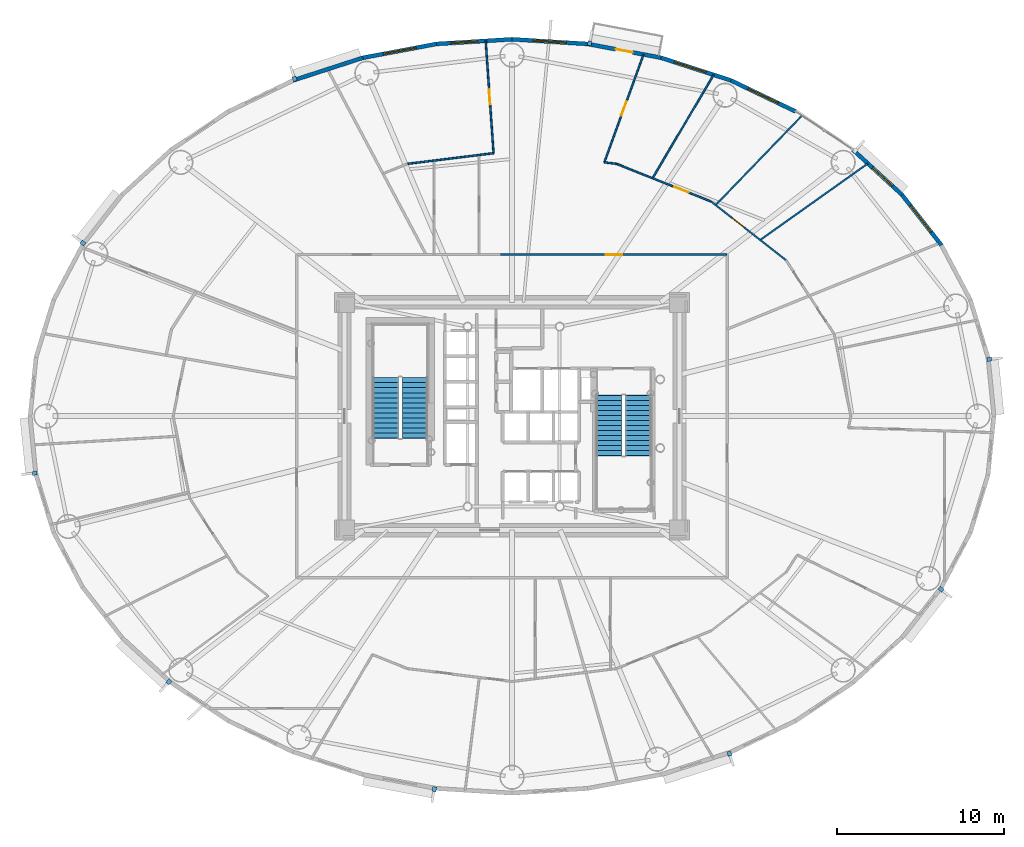
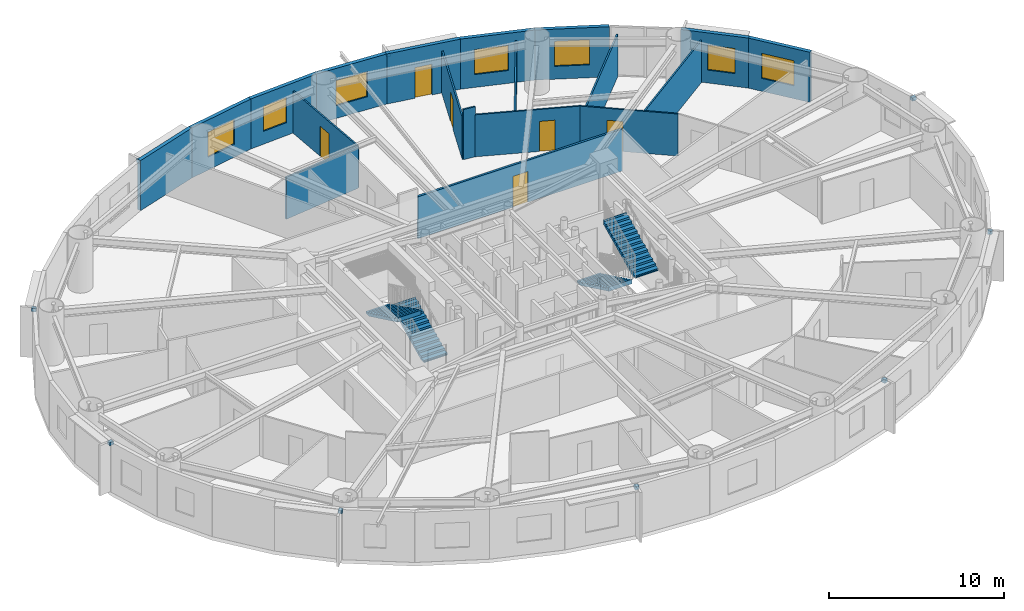
# One storey, part 14 of 20: 19 walls, 9 discrete accessories, 7 windows, 6 doors, 4 stair flights, 13 openings, 2 elements without a shape of their own.
"""IFC4 building model written with IfcOpenShell, lengths in metres."""

from ifc_helpers import new_model, si_unit, direction, frame, frame_2d, origin, origin_2d, place, context, subcontext, project, spatial, polyline, rectangle, outline, extrude, source, transform, mapped, material, layer, layer_set, type_object, element, fill, aggregate, save


model = new_model("IFC4")

# Units and contexts
model_context = context("Model", 3, precision=1e-05, world=origin(), true_north=direction((0.0, 1.0)))
body_context = subcontext(model_context, "Body", "Model", "MODEL_VIEW")
ifc_project = project(units=[si_unit("LENGTHUNIT", "METRE"), si_unit("AREAUNIT", "SQUARE_METRE"), si_unit("VOLUMEUNIT", "CUBIC_METRE"), si_unit("PLANEANGLEUNIT", "RADIAN"), si_unit("MASSUNIT", "GRAM", prefix="KILO")], contexts=[model_context])

# Site, building, storey
site_placement = place(None, origin())
site = spatial("IfcSite", under=ifc_project, at=site_placement, CompositionType="ELEMENT")
building_placement = place(site_placement, origin())
building = spatial("IfcBuilding", under=site, at=building_placement, Name="Linh Dai School and Residence Tower", CompositionType="ELEMENT")
storey_placement = place(building_placement, frame((0.0, 0.0, 127.199951171875)))
storey = spatial("IfcBuildingStorey", under=building, at=storey_placement, Name="L30", CompositionType="ELEMENT", Elevation=127.199951171875)

# Wall, opening, window
ifc_material_1 = material(Name="Precast Concrete B45 (C35/45)", Category="concrete")
ifc_layer_1 = layer(ifc_material_1, 0.239990234375)
ifc_layer_set_1 = layer_set([ifc_layer_1], Name="Precast Concrete B45 (C35/45)")
wall_type_1 = type_object("IfcWallType", Name="EW-TC-240", PredefinedType="SOLIDWALL", material=ifc_layer_set_1)
wall_1_placement = place(storey_placement, frame((59.2890625, 40.216552734375, 0.0), z_axis=(0.0, 0.0, 1.0), x_axis=(0.616272103517, -0.787533297345, 0.0)))
wall_1 = element("IfcWall", 1, at=wall_1_placement, inside=storey, type_object=wall_type_1, Name="L30 Terracotta Exterior Wall 04", PredefinedType="SOLIDWALL", context=body_context, shape_type="SweptSolid", body=[
    extrude(rectangle(XDim=3.8232421875, YDim=0.239990234375, at=frame_2d((1.91162109375, 0.0))), origin(), (0.0, 0.0, 1.0), 3.5),
])
opening_1_placement = place(wall_1_placement, frame((0.81396484375, 0.0, 0.89990234375)))
opening_1 = element("IfcOpeningElement", 2, at=opening_1_placement, cuts=wall_1, Name="Opening W1", PredefinedType="OPENING", context=body_context, shape_type="SweptSolid", body=[
    extrude(rectangle(XDim=2.0, YDim=1.75, at=origin_2d()), frame((1.0, 0.1298828125, 0.875), z_axis=(0.0, -1.0, 0.0), x_axis=(1.0, 0.0, 0.0)), (0.0, 0.0, 1.0), 0.260009765625),
])
ifc_material_2 = material(Name="Double Low-E Insulated Glazing", Category="glass")
window_type_1 = type_object("IfcWindowType", Name="WN-RES-2000x1750", PartitioningType="DOUBLE_PANEL_VERTICAL", PredefinedType="WINDOW", material=ifc_material_2)
shared_shape_1 = source(origin(), body_context, "Body", "SweptSolid", [
    extrude(rectangle(XDim=2.0, YDim=1.75, at=origin_2d()), frame((1.0, 0.030029296875, 0.875), z_axis=(0.0, -1.0, 0.0), x_axis=(1.0, 0.0, 0.0)), (0.0, 0.0, 1.0), 0.06005859375),
])
window_1_placement = place(opening_1_placement, origin())
window_1 = element("IfcWindow", 3, at=window_1_placement, inside=storey, type_object=window_type_1, Name="L30 Exterior Window 04.1", OverallHeight=1.75, OverallWidth=2.0, PartitioningType="DOUBLE_PANEL_VERTICAL", PredefinedType="WINDOW", context=body_context, shape_type="MappedRepresentation", body=[
    mapped(shared_shape_1, transform((0.0, 0.0, 0.0), x_axis=(1.0, 0.0, 0.0), y_axis=(0.0, 1.0, 0.0), z_axis=(0.0, 0.0, 1.0), scale=1.0)),
])
fill(opening_1, window_1)

wall_2_placement = place(storey_placement, frame((56.3583984375, 42.9033203125, 0.0), z_axis=(0.0, 0.0, 1.0), x_axis=(0.737113356241, -0.675769117414, 0.0)))
wall_2 = element("IfcWall", 4, at=wall_2_placement, inside=storey, type_object=wall_type_1, Name="L30 Terracotta Exterior Wall 05", PredefinedType="SOLIDWALL", context=body_context, shape_type="SweptSolid", body=[
    extrude(rectangle(XDim=3.975830078125, YDim=0.239990234375, at=frame_2d((1.98779296875, 0.0))), origin(), (0.0, 0.0, 1.0), 3.5),
])
opening_2_placement = place(wall_2_placement, frame((1.58251953125, 0.0, 0.89990234375)))
opening_2 = element("IfcOpeningElement", 5, at=opening_2_placement, cuts=wall_2, Name="Opening W2", PredefinedType="OPENING", context=body_context, shape_type="SweptSolid", body=[
    extrude(rectangle(XDim=1.60009765625, YDim=1.75, at=origin_2d()), frame((0.800048828125, 0.1298828125, 0.875), z_axis=(0.0, -1.0, 0.0), x_axis=(1.0, 0.0, 0.0)), (0.0, 0.0, 1.0), 0.260009765625),
])
window_type_2 = type_object("IfcWindowType", Name="WN-RES-1600x1750", PartitioningType="DOUBLE_PANEL_VERTICAL", PredefinedType="WINDOW", material=ifc_material_2)
shared_shape_2 = source(origin(), body_context, "Body", "SweptSolid", [
    extrude(rectangle(XDim=1.60009765625, YDim=1.75, at=origin_2d()), frame((0.800048828125, 0.030029296875, 0.875), z_axis=(0.0, -1.0, 0.0), x_axis=(1.0, 0.0, 0.0)), (0.0, 0.0, 1.0), 0.06005859375),
])
window_2_placement = place(opening_2_placement, origin())
window_2 = element("IfcWindow", 6, at=window_2_placement, inside=storey, type_object=window_type_2, Name="L30 Exterior Window 05.1", OverallHeight=1.75, OverallWidth=1.60009765625, PartitioningType="DOUBLE_PANEL_VERTICAL", PredefinedType="WINDOW", context=body_context, shape_type="MappedRepresentation", body=[
    mapped(shared_shape_2, transform((0.0, 0.0, 0.0), x_axis=(1.0, 0.0, 0.0), y_axis=(0.0, 1.0, 0.0), z_axis=(0.0, 0.0, 1.0), scale=1.0)),
])
fill(opening_2, window_2)

wall_3_placement = place(storey_placement, frame((49.073974609375, 47.04736328125, 0.0), z_axis=(0.0, 0.0, 1.0), x_axis=(0.901589935876, -0.432591709962, 0.0)))
wall_3 = element("IfcWall", 7, at=wall_3_placement, inside=storey, type_object=wall_type_1, Name="L30 Terracotta Exterior Wall 07", PredefinedType="SOLIDWALL", context=body_context, shape_type="SweptSolid", body=[
    extrude(rectangle(XDim=4.271728515625, YDim=0.239990234375, at=frame_2d((2.1357421875, 0.0))), origin(), (0.0, 0.0, 1.0), 3.5),
])
opening_3_placement = place(wall_3_placement, frame((1.1357421875, 0.0, 0.89990234375)))
opening_3 = element("IfcOpeningElement", 8, at=opening_3_placement, cuts=wall_3, Name="Opening W1", PredefinedType="OPENING", context=body_context, shape_type="SweptSolid", body=[
    extrude(rectangle(XDim=2.0, YDim=1.75, at=origin_2d()), frame((1.0, 0.1298828125, 0.875), z_axis=(0.0, -1.0, 0.0), x_axis=(1.0, 0.0, 0.0)), (0.0, 0.0, 1.0), 0.260009765625),
])
window_3_placement = place(opening_3_placement, origin())
window_3 = element("IfcWindow", 9, at=window_3_placement, inside=storey, type_object=window_type_1, Name="L30 Exterior Window 07.1", OverallHeight=1.75, OverallWidth=2.0, PartitioningType="DOUBLE_PANEL_VERTICAL", PredefinedType="WINDOW", context=body_context, shape_type="MappedRepresentation", body=[
    mapped(shared_shape_1, transform((0.0, 0.0, 0.0), x_axis=(1.0, 0.0, 0.0), y_axis=(0.0, 1.0, 0.0), z_axis=(0.0, 0.0, 1.0), scale=1.0)),
])
fill(opening_3, window_3)

wall_4_placement = place(storey_placement, frame((44.899658203125, 48.4013671875, 0.0), z_axis=(0.0, 0.0, 1.0), x_axis=(0.951211346073, -0.308540070495, 0.0)))
wall_4 = element("IfcWall", 10, at=wall_4_placement, inside=storey, type_object=wall_type_1, Name="L30 Terracotta Exterior Wall 08", PredefinedType="SOLIDWALL", context=body_context, shape_type="SweptSolid", body=[
    extrude(rectangle(XDim=4.388427734375, YDim=0.239990234375, at=frame_2d((2.1943359375, 0.0))), origin(), (0.0, 0.0, 1.0), 3.5),
])
opening_4_placement = place(wall_4_placement, frame((0.830322265625, 0.0, 0.89990234375)))
opening_4 = element("IfcOpeningElement", 11, at=opening_4_placement, cuts=wall_4, Name="Opening W1", PredefinedType="OPENING", context=body_context, shape_type="SweptSolid", body=[
    extrude(rectangle(XDim=2.0, YDim=1.75, at=origin_2d()), frame((1.0, 0.1298828125, 0.875), z_axis=(0.0, -1.0, 0.0), x_axis=(1.0, 0.0, 0.0)), (0.0, 0.0, 1.0), 0.260009765625),
])
window_4_placement = place(opening_4_placement, origin())
window_4 = element("IfcWindow", 12, at=window_4_placement, inside=storey, type_object=window_type_1, Name="L30 Exterior Window 08.1", OverallHeight=1.75, OverallWidth=2.0, PartitioningType="DOUBLE_PANEL_VERTICAL", PredefinedType="WINDOW", context=body_context, shape_type="MappedRepresentation", body=[
    mapped(shared_shape_1, transform((0.0, 0.0, 0.0), x_axis=(1.0, 0.0, 0.0), y_axis=(0.0, 1.0, 0.0), z_axis=(0.0, 0.0, 1.0), scale=1.0)),
])
fill(opening_4, window_4)

# Wall, opening, door
wall_5_placement = place(storey_placement, frame((40.505615234375, 49.227294921875, 0.0), z_axis=(0.0, 0.0, 1.0), x_axis=(0.982789252177, -0.184730305596, 0.0)))
wall_5 = element("IfcWall", 13, at=wall_5_placement, inside=storey, type_object=wall_type_1, Name="L30 Terracotta Exterior Wall 09", PredefinedType="SOLIDWALL", context=body_context, shape_type="SweptSolid", body=[
    extrude(rectangle(XDim=4.470947265625, YDim=0.239990234375, at=frame_2d((2.2353515625, 0.0))), origin(), (0.0, 0.0, 1.0), 3.5),
])
opening_5_placement = place(wall_5_placement, frame((1.710693359375, 0.0, 0.0)))
opening_5 = element("IfcOpeningElement", 14, at=opening_5_placement, cuts=wall_5, Name="Opening BD1", PredefinedType="OPENING", context=body_context, shape_type="SweptSolid", body=[
    extrude(rectangle(XDim=1.050048828125, YDim=2.14990234375, at=origin_2d()), frame((0.52490234375, 0.1298828125, 1.074951171875), z_axis=(0.0, -1.0, 0.0), x_axis=(1.0, 0.0, 0.0)), (0.0, 0.0, 1.0), 0.260009765625),
])
ifc_material_3 = material(Name="Double-Glazed Balcony Door", Category="glass")
door_type_1 = type_object("IfcDoorType", Name="DR-BALC-1050x2150", OperationType="NOTDEFINED", PredefinedType="DOOR", material=ifc_material_3)
shared_shape_3 = source(origin(), body_context, "Body", "SweptSolid", [
    extrude(rectangle(XDim=1.050048828125, YDim=2.14990234375, at=origin_2d()), frame((0.52490234375, 0.02490234375, 1.074951171875), z_axis=(0.0, -1.0, 0.0), x_axis=(1.0, 0.0, 0.0)), (0.0, 0.0, 1.0), 0.050048828125),
])
door_1_placement = place(opening_5_placement, origin())
door_1 = element("IfcDoor", 15, at=door_1_placement, inside=storey, type_object=door_type_1, Name="L30 Glazed Balcony Door 09", OperationType="SINGLE_SWING_LEFT", OverallHeight=2.14990234375, OverallWidth=1.050048828125, PredefinedType="DOOR", context=body_context, shape_type="MappedRepresentation", body=[
    mapped(shared_shape_3, transform((0.0, 0.0, 0.0), x_axis=(1.0, 0.0, 0.0), y_axis=(0.0, 1.0, 0.0), z_axis=(0.0, 0.0, 1.0), scale=1.0)),
])
fill(opening_5, door_1)

# Wall, opening, window
wall_6_placement = place(storey_placement, frame((36.0, 49.5048828125, 0.0), z_axis=(0.0, 0.0, 1.0), x_axis=(0.998107531589, -0.061492726276, 0.0)))
wall_6 = element("IfcWall", 16, at=wall_6_placement, inside=storey, type_object=wall_type_1, Name="L30 Terracotta Exterior Wall 10", PredefinedType="SOLIDWALL", context=body_context, shape_type="SweptSolid", body=[
    extrude(rectangle(XDim=4.51416015625, YDim=0.239990234375, at=frame_2d((2.257080078125, 0.0))), origin(), (0.0, 0.0, 1.0), 3.5),
])
opening_6_placement = place(wall_6_placement, frame((1.257080078125, 0.0, 0.89990234375)))
opening_6 = element("IfcOpeningElement", 17, at=opening_6_placement, cuts=wall_6, Name="Opening W1", PredefinedType="OPENING", context=body_context, shape_type="SweptSolid", body=[
    extrude(rectangle(XDim=2.0, YDim=1.75, at=origin_2d()), frame((1.0, 0.1298828125, 0.875), z_axis=(0.0, -1.0, 0.0), x_axis=(1.0, 0.0, 0.0)), (0.0, 0.0, 1.0), 0.260009765625),
])
window_5_placement = place(opening_6_placement, origin())
window_5 = element("IfcWindow", 18, at=window_5_placement, inside=storey, type_object=window_type_1, Name="L30 Exterior Window 10.1", OverallHeight=1.75, OverallWidth=2.0, PartitioningType="DOUBLE_PANEL_VERTICAL", PredefinedType="WINDOW", context=body_context, shape_type="MappedRepresentation", body=[
    mapped(shared_shape_1, transform((0.0, 0.0, 0.0), x_axis=(1.0, 0.0, 0.0), y_axis=(0.0, 1.0, 0.0), z_axis=(0.0, 0.0, 1.0), scale=1.0)),
])
fill(opening_6, window_5)

wall_7_placement = place(storey_placement, frame((31.494384765625, 49.227294921875, 0.0), z_axis=(0.0, 0.0, 1.0), x_axis=(0.998107531589, 0.061492726276, 0.0)))
wall_7 = element("IfcWall", 19, at=wall_7_placement, inside=storey, type_object=wall_type_1, Name="L30 Terracotta Exterior Wall 11", PredefinedType="SOLIDWALL", context=body_context, shape_type="SweptSolid", body=[
    extrude(rectangle(XDim=4.51416015625, YDim=0.239990234375, at=frame_2d((2.257080078125, 0.0))), origin(), (0.0, 0.0, 1.0), 3.5),
])
opening_7_placement = place(wall_7_placement, frame((0.864501953125, 0.0, 0.89990234375)))
opening_7 = element("IfcOpeningElement", 20, at=opening_7_placement, cuts=wall_7, Name="Opening W2", PredefinedType="OPENING", context=body_context, shape_type="SweptSolid", body=[
    extrude(rectangle(XDim=1.60009765625, YDim=1.75, at=origin_2d()), frame((0.800048828125, 0.1298828125, 0.875), z_axis=(0.0, -1.0, 0.0), x_axis=(1.0, 0.0, 0.0)), (0.0, 0.0, 1.0), 0.260009765625),
])
window_6_placement = place(opening_7_placement, origin())
window_6 = element("IfcWindow", 21, at=window_6_placement, inside=storey, type_object=window_type_2, Name="L30 Exterior Window 11.1", OverallHeight=1.75, OverallWidth=1.60009765625, PartitioningType="DOUBLE_PANEL_VERTICAL", PredefinedType="WINDOW", context=body_context, shape_type="MappedRepresentation", body=[
    mapped(shared_shape_2, transform((0.0, 0.0, 0.0), x_axis=(1.0, 0.0, 0.0), y_axis=(0.0, 1.0, 0.0), z_axis=(0.0, 0.0, 1.0), scale=1.0)),
])
fill(opening_7, window_6)

wall_8_placement = place(storey_placement, frame((27.100341796875, 48.4013671875, 0.0), z_axis=(0.0, 0.0, 1.0), x_axis=(0.982789252177, 0.184730305596, 0.0)))
wall_8 = element("IfcWall", 22, at=wall_8_placement, inside=storey, type_object=wall_type_1, Name="L30 Terracotta Exterior Wall 12", PredefinedType="SOLIDWALL", context=body_context, shape_type="SweptSolid", body=[
    extrude(rectangle(XDim=4.470947265625, YDim=0.239990234375, at=frame_2d((2.2353515625, 0.0))), origin(), (0.0, 0.0, 1.0), 3.5),
])
opening_8_placement = place(wall_8_placement, frame((1.235595703125, 0.0, 0.89990234375)))
opening_8 = element("IfcOpeningElement", 23, at=opening_8_placement, cuts=wall_8, Name="Opening W1", PredefinedType="OPENING", context=body_context, shape_type="SweptSolid", body=[
    extrude(rectangle(XDim=2.0, YDim=1.75, at=origin_2d()), frame((1.0, 0.1298828125, 0.875), z_axis=(0.0, -1.0, 0.0), x_axis=(1.0, 0.0, 0.0)), (0.0, 0.0, 1.0), 0.260009765625),
])
window_7_placement = place(opening_8_placement, origin())
window_7 = element("IfcWindow", 24, at=window_7_placement, inside=storey, type_object=window_type_1, Name="L30 Exterior Window 12.1", OverallHeight=1.75, OverallWidth=2.0, PartitioningType="DOUBLE_PANEL_VERTICAL", PredefinedType="WINDOW", context=body_context, shape_type="MappedRepresentation", body=[
    mapped(shared_shape_1, transform((0.0, 0.0, 0.0), x_axis=(1.0, 0.0, 0.0), y_axis=(0.0, 1.0, 0.0), z_axis=(0.0, 0.0, 1.0), scale=1.0)),
])
fill(opening_8, window_7)

# Wall
wall_9_placement = place(storey_placement, frame((22.926025390625, 47.04736328125, 0.0), z_axis=(0.0, 0.0, 1.0), x_axis=(0.951211346073, 0.308540070495, 0.0)))
element("IfcWall", 25, at=wall_9_placement, inside=storey, type_object=wall_type_1, Name="L30 Terracotta Exterior Wall 13", PredefinedType="SOLIDWALL", context=body_context, shape_type="SweptSolid", body=[
    extrude(rectangle(XDim=4.388427734375, YDim=0.239990234375, at=frame_2d((2.1943359375, 0.0))), origin(), (0.0, 0.0, 1.0), 3.5),
])

# Wall, opening, door
ifc_material_4 = material(Name="Autoclaved Aerated Concrete Blockwork", Category="masonry")
ifc_layer_2 = layer(ifc_material_4, 0.135009765625)
ifc_layer_set_2 = layer_set([ifc_layer_2], Name="Autoclaved Aerated Concrete Blockwork")
wall_type_2 = type_object("IfcWallType", Name="IW-CORR-135-EI90", PredefinedType="PARTITIONING", material=ifc_layer_set_2)
wall_10_placement = place(storey_placement, frame((35.323486328125, 36.64990234375, 0.0), z_axis=(0.0, 0.0, 1.0), x_axis=(1.0, 0.0, 0.0)))
wall_10 = element("IfcWall", 26, at=wall_10_placement, inside=storey, type_object=wall_type_2, Name="L30 Interior Partition Wall 045", PredefinedType="PARTITIONING", context=body_context, shape_type="SweptSolid", body=[
    extrude(rectangle(XDim=13.526611328125, YDim=0.135009765625, at=frame_2d((6.76318359375, 0.0))), origin(), (0.0, 0.0, 1.0), 2.93505859375),
])
opening_9_placement = place(wall_10_placement, frame((6.26318359375, 0.0, 0.0)))
opening_9 = element("IfcOpeningElement", 27, at=opening_9_placement, cuts=wall_10, Name="Opening D03", PredefinedType="OPENING", context=body_context, shape_type="SweptSolid", body=[
    extrude(rectangle(XDim=1.0, YDim=2.14990234375, at=origin_2d()), frame((0.5, 0.07763671875, 1.074951171875), z_axis=(0.0, -1.0, 0.0), x_axis=(1.0, 0.0, 0.0)), (0.0, 0.0, 1.0), 0.155029296875),
])
ifc_material_5 = material(Name="Fire-Rated Solid Timber Entrance Door", Category="wood")
door_type_2 = type_object("IfcDoorType", Name="DR-FLAT-1000x2150-FD60S", OperationType="NOTDEFINED", PredefinedType="DOOR", material=ifc_material_5)
shared_shape_4 = source(origin(), body_context, "Body", "SweptSolid", [
    extrude(rectangle(XDim=1.0, YDim=2.14990234375, at=origin_2d()), frame((0.5, 0.02490234375, 1.074951171875), z_axis=(0.0, -1.0, 0.0), x_axis=(1.0, 0.0, 0.0)), (0.0, 0.0, 1.0), 0.050048828125),
])
door_2_placement = place(opening_9_placement, origin())
door_2 = element("IfcDoor", 28, at=door_2_placement, inside=storey, type_object=door_type_2, Name="L30 U3003 Apartment Entrance Door", OperationType="SINGLE_SWING_LEFT", OverallHeight=2.14990234375, OverallWidth=1.0, PredefinedType="DOOR", context=body_context, shape_type="MappedRepresentation", body=[
    mapped(shared_shape_4, transform((0.0, 0.0, 0.0), x_axis=(1.0, 0.0, 0.0), y_axis=(0.0, 1.0, 0.0), z_axis=(0.0, 0.0, 1.0), scale=1.0)),
])
fill(opening_9, door_2)

# Wall
ifc_material_6 = material(Name="Gypsum Plasterboard Acoustic Stud Partition", Category="masonry")
ifc_layer_3 = layer(ifc_material_6, 0.10009765625)
ifc_layer_set_3 = layer_set([ifc_layer_3], Name="Gypsum Plasterboard Acoustic Stud Partition")
wall_type_3 = type_object("IfcWallType", Name="IW-UNIT-100", PredefinedType="PARTITIONING", material=ifc_layer_set_3)
wall_11_placement = place(storey_placement, frame((29.74853515625, 42.065673828125, 0.0), z_axis=(0.0, 0.0, 1.0), x_axis=(0.992399697935, 0.123056245428, 0.0)))
element("IfcWall", 29, at=wall_11_placement, inside=storey, type_object=wall_type_3, Name="L30 Interior Partition Wall 026", PredefinedType="PARTITIONING", context=body_context, shape_type="SweptSolid", body=[
    extrude(rectangle(XDim=5.190185546875, YDim=0.10009765625, at=frame_2d((2.59521484375, 0.0))), origin(), (0.0, 0.0, 1.0), 2.93505859375),
])

# Wall, opening, door
wall_12_placement = place(storey_placement, frame((34.4287109375, 49.4130859375, 0.0), z_axis=(0.0, 0.0, 1.0), x_axis=(0.069954481801, -0.99755018444, 0.0)))
wall_12 = element("IfcWall", 30, at=wall_12_placement, inside=storey, type_object=wall_type_3, Name="L30 Interior Partition Wall 038", PredefinedType="PARTITIONING", context=body_context, shape_type="SweptSolid", body=[
    extrude(rectangle(XDim=6.72509765625, YDim=0.10009765625, at=frame_2d((3.362548828125, 0.0))), origin(), (0.0, 0.0, 1.0), 2.93505859375),
])
opening_10_placement = place(wall_12_placement, frame((2.91259765625, 0.0, 0.0)))
opening_10 = element("IfcOpeningElement", 31, at=opening_10_placement, cuts=wall_12, Name="Opening D05", PredefinedType="OPENING", context=body_context, shape_type="SweptSolid", body=[
    extrude(rectangle(XDim=0.89990234375, YDim=2.10009765625, at=origin_2d()), frame((0.449951171875, 0.06005859375, 1.050048828125), z_axis=(0.0, -1.0, 0.0), x_axis=(1.0, 0.0, 0.0)), (0.0, 0.0, 1.0), 0.1201171875),
])
ifc_material_7 = material(Name="Engineered Timber Internal Door", Category="wood")
door_type_3 = type_object("IfcDoorType", Name="DR-INT-900x2100", OperationType="NOTDEFINED", PredefinedType="DOOR", material=ifc_material_7)
shared_shape_5 = source(origin(), body_context, "Body", "SweptSolid", [
    extrude(rectangle(XDim=0.89990234375, YDim=2.10009765625, at=origin_2d()), frame((0.449951171875, 0.02490234375, 1.050048828125), z_axis=(0.0, -1.0, 0.0), x_axis=(1.0, 0.0, 0.0)), (0.0, 0.0, 1.0), 0.050048828125),
])
door_3_placement = place(opening_10_placement, origin())
door_3 = element("IfcDoor", 32, at=door_3_placement, inside=storey, type_object=door_type_3, Name="L30 Apartment U3003 Principal Bedroom 3 Door", OperationType="SINGLE_SWING_RIGHT", OverallHeight=2.10009765625, OverallWidth=0.89990234375, PredefinedType="DOOR", context=body_context, shape_type="MappedRepresentation", body=[
    mapped(shared_shape_5, transform((0.0, 0.0, 0.0), x_axis=(1.0, 0.0, 0.0), y_axis=(0.0, 1.0, 0.0), z_axis=(0.0, 0.0, 1.0), scale=1.0)),
])
fill(opening_10, door_3)

# Wall
wall_13_placement = place(storey_placement, frame((41.510986328125, 42.157470703125, 0.0), z_axis=(0.0, 0.0, 1.0), x_axis=(0.992403212837, -0.123027895822, 0.0)))
element("IfcWall", 33, at=wall_13_placement, inside=storey, type_object=wall_type_3, Name="L30 Interior Partition Wall 070", PredefinedType="PARTITIONING", context=body_context, shape_type="SweptSolid", body=[
    extrude(rectangle(XDim=0.74609375, YDim=0.10009765625, at=frame_2d((0.373046875, 0.0))), origin(), (0.0, 0.0, 1.0), 3.5),
])

# Wall, opening, door
wall_14_placement = place(storey_placement, frame((41.510986328125, 42.157470703125, 0.0), z_axis=(0.0, 0.0, 1.0), x_axis=(0.341680179237, 0.939816287961, 0.0)))
wall_14 = element("IfcWall", 34, at=wall_14_placement, inside=storey, type_object=wall_type_3, Name="L30 Interior Partition Wall 071", PredefinedType="PARTITIONING", context=body_context, shape_type="SweptSolid", body=[
    extrude(rectangle(XDim=6.858154296875, YDim=0.10009765625, at=frame_2d((3.42919921875, 0.0))), origin(), (0.0, 0.0, 1.0), 2.93505859375),
])
opening_11_placement = place(wall_14_placement, frame((2.97900390625, 0.0, 0.0)))
opening_11 = element("IfcOpeningElement", 35, at=opening_11_placement, cuts=wall_14, Name="Opening D05", PredefinedType="OPENING", context=body_context, shape_type="SweptSolid", body=[
    extrude(rectangle(XDim=0.89990234375, YDim=2.10009765625, at=origin_2d()), frame((0.449951171875, 0.06005859375, 1.050048828125), z_axis=(0.0, -1.0, 0.0), x_axis=(1.0, 0.0, 0.0)), (0.0, 0.0, 1.0), 0.1201171875),
])
door_4_placement = place(opening_11_placement, origin())
door_4 = element("IfcDoor", 36, at=door_4_placement, inside=storey, type_object=door_type_3, Name="L30 Apartment U3003 Study Door", OperationType="SINGLE_SWING_LEFT", OverallHeight=2.10009765625, OverallWidth=0.89990234375, PredefinedType="DOOR", context=body_context, shape_type="MappedRepresentation", body=[
    mapped(shared_shape_5, transform((0.0, 0.0, 0.0), x_axis=(1.0, 0.0, 0.0), y_axis=(0.0, 1.0, 0.0), z_axis=(0.0, 0.0, 1.0), scale=1.0)),
])
fill(opening_11, door_4)

wall_15_placement = place(storey_placement, frame((42.25146484375, 42.065673828125, 0.0), z_axis=(0.0, 0.0, 1.0), x_axis=(0.928803554156, -0.370572473055, 0.0)))
wall_15 = element("IfcWall", 37, at=wall_15_placement, inside=storey, type_object=wall_type_3, Name="L30 Interior Partition Wall 074", PredefinedType="PARTITIONING", context=body_context, shape_type="SweptSolid", body=[
    extrude(rectangle(XDim=6.07177734375, YDim=0.10009765625, at=frame_2d((3.035888671875, 0.0))), origin(), (0.0, 0.0, 1.0), 2.93505859375),
])
opening_12_placement = place(wall_15_placement, frame((3.71923828125, 0.0, 0.0)))
opening_12 = element("IfcOpeningElement", 38, at=opening_12_placement, cuts=wall_15, Name="Opening D05", PredefinedType="OPENING", context=body_context, shape_type="SweptSolid", body=[
    extrude(rectangle(XDim=0.89990234375, YDim=2.10009765625, at=origin_2d()), frame((0.449951171875, 0.06005859375, 1.050048828125), z_axis=(0.0, -1.0, 0.0), x_axis=(1.0, 0.0, 0.0)), (0.0, 0.0, 1.0), 0.1201171875),
])
door_5_placement = place(opening_12_placement, origin())
door_5 = element("IfcDoor", 39, at=door_5_placement, inside=storey, type_object=door_type_3, Name="L30 Apartment U3003 Principal Bedroom 2 Door", OperationType="SINGLE_SWING_RIGHT", OverallHeight=2.10009765625, OverallWidth=0.89990234375, PredefinedType="DOOR", context=body_context, shape_type="MappedRepresentation", body=[
    mapped(shared_shape_5, transform((0.0, 0.0, 0.0), x_axis=(1.0, 0.0, 0.0), y_axis=(0.0, 1.0, 0.0), z_axis=(0.0, 0.0, 1.0), scale=1.0)),
])
fill(opening_12, door_5)

# Wall
wall_16_placement = place(storey_placement, frame((44.393798828125, 41.2109375, 0.0), z_axis=(0.0, 0.0, 1.0), x_axis=(0.508542397454, 0.861036950422, 0.0)))
element("IfcWall", 40, at=wall_16_placement, inside=storey, type_object=wall_type_3, Name="L30 Interior Partition Wall 076", PredefinedType="PARTITIONING", context=body_context, shape_type="SweptSolid", body=[
    extrude(rectangle(XDim=7.17333984375, YDim=0.10009765625, at=frame_2d((3.586669921875, 0.0))), origin(), (0.0, 0.0, 1.0), 2.93505859375),
])

# Wall, opening, door
wall_17_placement = place(storey_placement, frame((47.890869140625, 39.815673828125, 0.0), z_axis=(0.0, 0.0, 1.0), x_axis=(0.787345480673, -0.616512038864, 0.0)))
wall_17 = element("IfcWall", 41, at=wall_17_placement, inside=storey, type_object=wall_type_3, Name="L30 Interior Partition Wall 080", PredefinedType="PARTITIONING", context=body_context, shape_type="SweptSolid", body=[
    extrude(rectangle(XDim=5.68505859375, YDim=0.10009765625, at=frame_2d((2.842529296875, 0.0))), origin(), (0.0, 0.0, 1.0), 2.93505859375),
])
opening_13_placement = place(wall_17_placement, frame((1.580078125, 0.0, 0.0)))
opening_13 = element("IfcOpeningElement", 42, at=opening_13_placement, cuts=wall_17, Name="Opening D05", PredefinedType="OPENING", context=body_context, shape_type="SweptSolid", body=[
    extrude(rectangle(XDim=0.89990234375, YDim=2.10009765625, at=origin_2d()), frame((0.449951171875, 0.06005859375, 1.050048828125), z_axis=(0.0, -1.0, 0.0), x_axis=(1.0, 0.0, 0.0)), (0.0, 0.0, 1.0), 0.1201171875),
])
door_6_placement = place(opening_13_placement, origin())
door_6 = element("IfcDoor", 43, at=door_6_placement, inside=storey, type_object=door_type_3, Name="L30 Apartment U3003 Study Door", OperationType="SINGLE_SWING_LEFT", OverallHeight=2.10009765625, OverallWidth=0.89990234375, PredefinedType="DOOR", context=body_context, shape_type="MappedRepresentation", body=[
    mapped(shared_shape_5, transform((0.0, 0.0, 0.0), x_axis=(1.0, 0.0, 0.0), y_axis=(0.0, 1.0, 0.0), z_axis=(0.0, 0.0, 1.0), scale=1.0)),
])
fill(opening_13, door_6)

# Walls
wall_18_placement = place(storey_placement, frame((48.15966796875, 39.60498046875, 0.0), z_axis=(0.0, 0.0, 1.0), x_axis=(0.694278615756, 0.719706331571, 0.0)))
element("IfcWall", 44, at=wall_18_placement, inside=storey, type_object=wall_type_3, Name="L30 Interior Partition Wall 081", PredefinedType="PARTITIONING", context=body_context, shape_type="SweptSolid", body=[
    extrude(rectangle(XDim=7.421875, YDim=0.10009765625, at=frame_2d((3.7109375, 0.0))), origin(), (0.0, 0.0, 1.0), 2.93505859375),
])
wall_19_placement = place(storey_placement, frame((50.818603515625, 37.52294921875, 0.0), z_axis=(0.0, 0.0, 1.0), x_axis=(0.815321486624, 0.579008526233, 0.0)))
element("IfcWall", 45, at=wall_19_placement, inside=storey, type_object=wall_type_3, Name="L30 Interior Partition Wall 085", PredefinedType="PARTITIONING", context=body_context, shape_type="SweptSolid", body=[
    extrude(rectangle(XDim=7.889892578125, YDim=0.10009765625, at=frame_2d((3.94482421875, 0.0))), origin(), (0.0, 0.0, 1.0), 2.93505859375),
])

# Stair, stair flights
ifc_material_8 = material(Name="Concrete B45 (C35/45)", Category="concrete")
stair_type = type_object("IfcStairType", Name="ST-DOG-1550-R1442", PredefinedType="HALF_TURN_STAIR", material=ifc_material_8)
stair_1_placement = place(storey_placement, origin())
stair_1 = element("IfcStair", 46, at=stair_1_placement, inside=storey, type_object=stair_type, Name="L30 Core Smokeproof Exit Stair ST1", PredefinedType="HALF_TURN_STAIR")
stair_flight_type = type_object("IfcStairFlightType", Name="STF-STR-1550-R1442", PredefinedType="STRAIGHT", material=ifc_material_8)
shared_shape_6 = source(origin(), body_context, "Body", "SweptSolid", [
    extrude(outline(polyline([(-0.02490234375, 0.0), (-0.02490234375, 0.06005859375), (0.0, 0.06005859375), (0.0, 0.144287109375), (0.300048828125, 0.144287109375), (0.300048828125, 0.28857421875), (0.60009765625, 0.28857421875), (0.60009765625, 0.4326171875), (0.89990234375, 0.4326171875), (0.89990234375, 0.576904296875), (1.199951171875, 0.576904296875), (1.199951171875, 0.72119140625), (1.5, 0.72119140625), (1.5, 0.865478515625), (1.800048828125, 0.865478515625), (1.800048828125, 1.009521484375), (2.10009765625, 1.009521484375), (2.10009765625, 1.15380859375), (2.39990234375, 1.15380859375), (2.39990234375, 1.298095703125), (2.699951171875, 1.298095703125), (2.699951171875, 1.4423828125), (3.0, 1.4423828125), (3.0, 1.58642578125), (3.300048828125, 1.58642578125), (3.300048828125, 1.730712890625), (3.60009765625, 1.730712890625), (3.60009765625, 1.875), (3.625, 1.875), (3.625, 1.564453125), (3.60009765625, 1.564453125), (0.345947265625, 0.0), (-0.02490234375, 0.0)])), frame((0.0, 0.77490234375, 0.0), z_axis=(0.0, -1.0, 0.0), x_axis=(1.0, 0.0, 0.0)), (0.0, 0.0, 1.0), 1.550048828125),
])
stair_flight_1_placement = place(storey_placement, frame((30.205078125, 25.699951171875, 0.0), z_axis=(0.0, 0.0, 1.0), x_axis=(0.0, 1.0, 0.0)))
stair_flight_1 = element("IfcStairFlight", 47, at=stair_flight_1_placement, type_object=stair_flight_type, Name="ST1 flight 1", NumberOfRisers=13, NumberOfTreads=12, PredefinedType="STRAIGHT", RiserHeight=0.144230769, TreadLength=0.3, context=body_context, shape_type="MappedRepresentation", body=[
    mapped(shared_shape_6, transform((0.0, 0.0, 0.0), x_axis=(1.0, 0.0, 0.0), y_axis=(0.0, 1.0, 0.0), z_axis=(0.0, 0.0, 1.0), scale=1.0)),
])
stair_flight_2_placement = place(storey_placement, frame((28.455078125, 29.300048828125, 1.875), z_axis=(0.0, 0.0, 1.0), x_axis=(0.0, -1.0, 0.0)))
stair_flight_2 = element("IfcStairFlight", 48, at=stair_flight_2_placement, type_object=stair_flight_type, Name="ST1 flight 2", NumberOfRisers=13, NumberOfTreads=12, PredefinedType="STRAIGHT", RiserHeight=0.144230769, TreadLength=0.3, context=body_context, shape_type="MappedRepresentation", body=[
    mapped(shared_shape_6, transform((0.0, 0.0, 0.0), x_axis=(1.0, 0.0, 0.0), y_axis=(0.0, 1.0, 0.0), z_axis=(0.0, 0.0, 1.0), scale=1.0)),
])
aggregate(stair_1, [stair_flight_1, stair_flight_2])

stair_2_placement = place(storey_placement, origin())
stair_2 = element("IfcStair", 49, at=stair_2_placement, inside=storey, type_object=stair_type, Name="L30 Core Smokeproof Exit Stair ST2", PredefinedType="HALF_TURN_STAIR")
stair_flight_3_placement = place(storey_placement, frame((41.794921875, 28.25, 0.0), z_axis=(0.0, 0.0, 1.0), x_axis=(0.0, -1.0, 0.0)))
stair_flight_3 = element("IfcStairFlight", 50, at=stair_flight_3_placement, type_object=stair_flight_type, Name="ST2 flight 1", NumberOfRisers=13, NumberOfTreads=12, PredefinedType="STRAIGHT", RiserHeight=0.144230769, TreadLength=0.3, context=body_context, shape_type="MappedRepresentation", body=[
    mapped(shared_shape_6, transform((0.0, 0.0, 0.0), x_axis=(1.0, 0.0, 0.0), y_axis=(0.0, 1.0, 0.0), z_axis=(0.0, 0.0, 1.0), scale=1.0)),
])
stair_flight_4_placement = place(storey_placement, frame((43.544921875, 24.64990234375, 1.875), z_axis=(0.0, 0.0, 1.0), x_axis=(0.0, 1.0, 0.0)))
stair_flight_4 = element("IfcStairFlight", 51, at=stair_flight_4_placement, type_object=stair_flight_type, Name="ST2 flight 2", NumberOfRisers=13, NumberOfTreads=12, PredefinedType="STRAIGHT", RiserHeight=0.144230769, TreadLength=0.3, context=body_context, shape_type="MappedRepresentation", body=[
    mapped(shared_shape_6, transform((0.0, 0.0, 0.0), x_axis=(1.0, 0.0, 0.0), y_axis=(0.0, 1.0, 0.0), z_axis=(0.0, 0.0, 1.0), scale=1.0)),
])
aggregate(stair_2, [stair_flight_3, stair_flight_4])

# Discrete accessories
ifc_material_9 = material(Name="Structural Steel S355JR", Category="steel")
discrete_accessory_type = type_object("IfcDiscreteAccessoryType", Name="ACC-BRK-S355", PredefinedType="BRACKET", material=ifc_material_9)
shared_shape_7 = source(origin(), body_context, "Body", "SweptSolid", [
    extrude(rectangle(XDim=0.280029296875, YDim=0.239990234375, at=origin_2d()), origin(), (0.0, 0.0, 1.0), 0.219970703125),
])
for number, where, z_axis, x_axis, name in (
    (52, (64.493408203125, 30.40185546875, 3.25), (0.0, 0.0, 1.0), (0.994986703684, 0.100007297192, 0.0), "L30 Facade Frame Anchor Bracket 01"),
    (53, (40.634521484375, 49.26416015625, 3.25), (0.0, 0.0, 1.0), (0.18475466193, 0.982784673718, 0.0), "L30 Facade Frame Anchor Bracket 09"),
    (54, (23.021728515625, 47.1416015625, 3.25), (0.0, 0.0, 1.0), (-0.308522363457, 0.951217089442, 0.0), "L30 Facade Frame Anchor Bracket 13"),
    (55, (10.38134765625, 37.337158203125, 3.25), (0.0, 0.0, 1.0), (-0.787507539838, 0.616305017583, 0.0), "L30 Facade Frame Anchor Bracket 17"),
    (56, (7.506591796875, 23.59814453125, 3.25), (0.0, 0.0, 1.0), (-0.994986703684, -0.100007297192, 0.0), "L30 Facade Frame Anchor Bracket 21"),
    (57, (15.5126953125, 11.133544921875, 3.25), (0.0, 0.0, 1.0), (-0.675783395482, -0.737100266172, 0.0), "L30 Facade Frame Anchor Bracket 25"),
    (58, (31.365478515625, 4.73583984375, 3.25), (0.0, 0.0, 1.0), (-0.18475466193, -0.982784673718, 0.0), "L30 Facade Frame Anchor Bracket 29"),
    (59, (48.978271484375, 6.8583984375, 3.25), (0.0, 0.0, 1.0), (0.308522363457, -0.951217089442, 0.0), "L30 Facade Frame Anchor Bracket 33"),
    (60, (61.61865234375, 16.662841796875, 3.25), (0.0, 0.0, 1.0), (0.787507539838, -0.616305017583, 0.0), "L30 Facade Frame Anchor Bracket 37"),
):
    element("IfcDiscreteAccessory", number, at=place(storey_placement, frame(where, z_axis=z_axis, x_axis=x_axis)), inside=storey, type_object=discrete_accessory_type, Name=name, PredefinedType="BRACKET", context=body_context, shape_type="MappedRepresentation", body=[
        mapped(shared_shape_7, transform((0.0, 0.0, 0.0), x_axis=(1.0, 0.0, 0.0), y_axis=(0.0, 1.0, 0.0), z_axis=(0.0, 0.0, 1.0), scale=1.0)),
    ])

save(model, "model.ifc")
